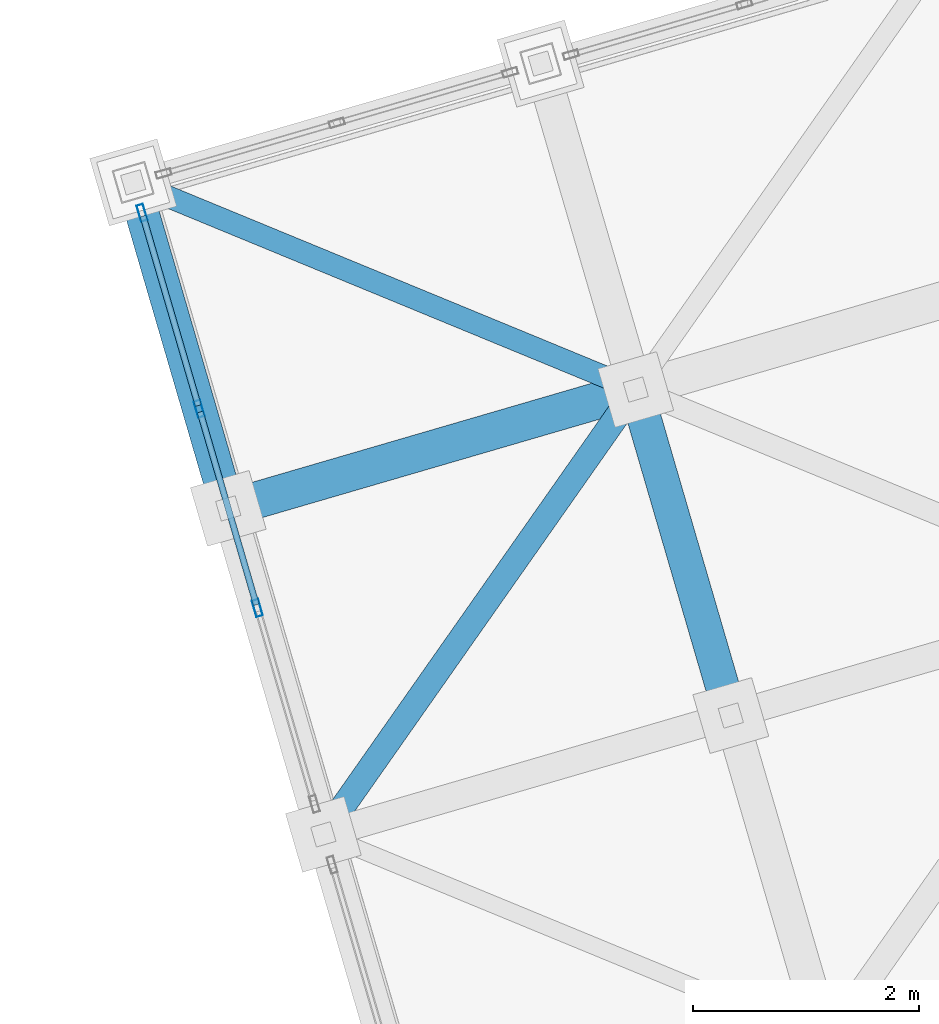
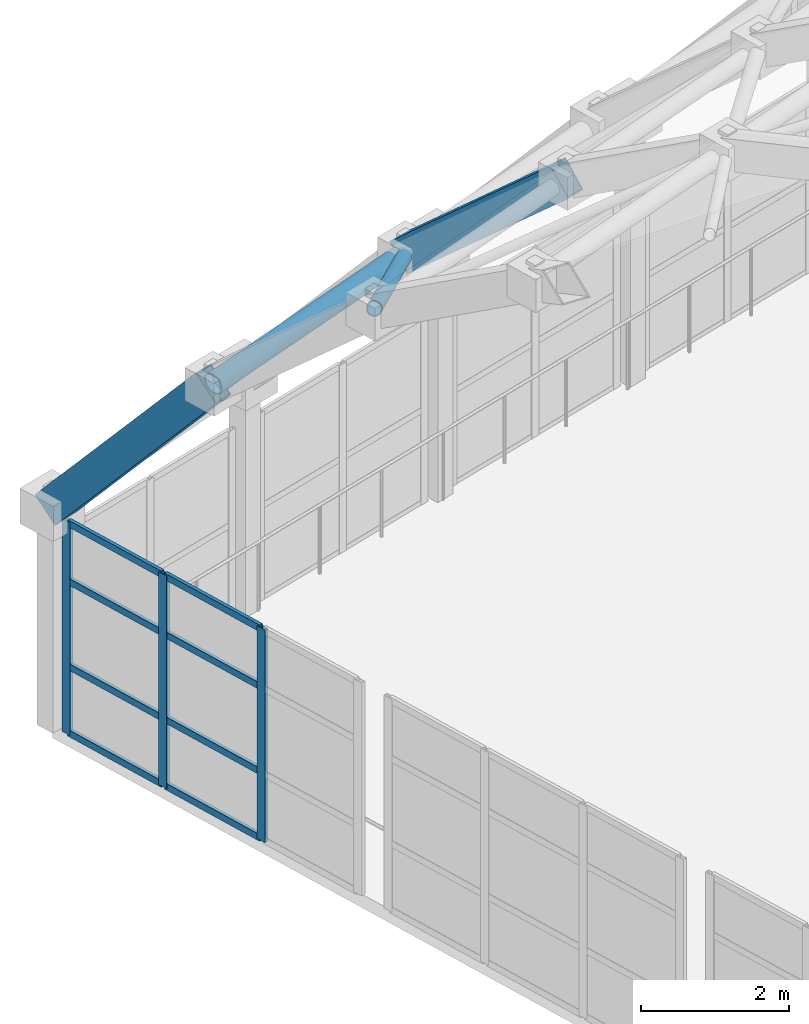
# One storey, part 51 of 248: 14 members, 2 beams, 1 element without a shape of its own.
"""IFC4 building model written with IfcOpenShell, lengths in metres."""

import ifcopenshell
import ifcopenshell.guid

model = None  # the IFC model being written
_history = None  # IfcOwnerHistory: only IFC2X3 demands one
_inside = {}  # id of a spatial element -> (the spatial element, [elements in it])
_under = {}  # id of a project, library or spatial element -> (it, [spatial elements below it])
_declared = {}  # id of a project -> (the project, [libraries it declares])
_typed = {}  # id of a type object -> (the type object, [elements of that type])
_made_of = {}  # id of a material, layer set ... -> (it, [elements and type objects made of it])


def new_model(schema):
    """Start an empty IFC model of exactly this schema.

    Asked for "IFC4X3", IfcOpenShell would pick the latest addendum, in which some entities
    have other attributes; the version numbers below select the first issue.
    IFC2X3 requires an IfcOwnerHistory on every rooted entity: one is made here for all.
    """
    global model, _history
    if schema == "IFC4X3":
        model = ifcopenshell.file(schema_version=(4, 3, 0, 0))
    else:
        model = ifcopenshell.file(schema=schema)
    _inside.clear()
    _under.clear()
    _declared.clear()
    _typed.clear()
    _made_of.clear()
    _history = None
    if model.schema == "IFC2X3":
        org = make("IfcOrganization", Name="unknown")
        user = make(
            "IfcPersonAndOrganization",
            ThePerson=make("IfcPerson", FamilyName="unknown"),
            TheOrganization=org,
        )
        app = make(
            "IfcApplication",
            ApplicationDeveloper=org,
            Version="unknown",
            ApplicationFullName="unknown",
            ApplicationIdentifier="unknown",
        )
        _history = make(
            "IfcOwnerHistory",
            OwningUser=user,
            OwningApplication=app,
            ChangeAction="ADDED",
            CreationDate=0,
        )
    return model


def make(cls, **values):
    """One entity of the class cls with the attributes given. An attribute that is None is left unset."""
    return model.create_entity(
        cls, **{name: value for name, value in values.items() if value is not None}
    )


def rooted(cls, **values):
    """An entity with a GlobalId (a new one), such as an element, a storey or a relation."""
    return make(cls, GlobalId=ifcopenshell.guid.new(), OwnerHistory=_history, **values)


def si_unit(unit_type, name, prefix=None):
    """IfcSIUnit, for example si_unit("LENGTHUNIT", "METRE", prefix="MILLI")."""
    return make("IfcSIUnit", UnitType=unit_type, Prefix=prefix, Name=name)


def assignment(units):
    """IfcUnitAssignment: the units of a project."""
    return None if units is None else make("IfcUnitAssignment", Units=units)


def point(xyz):
    """IfcCartesianPoint."""
    return None if xyz is None else make("IfcCartesianPoint", Coordinates=xyz)


def direction(xyz):
    """IfcDirection."""
    return None if xyz is None else make("IfcDirection", DirectionRatios=xyz)


def frame(location, z_axis=None, x_axis=None):
    """IfcAxis2Placement3D, a coordinate frame: its origin and axes. An axis left out is left unset."""
    return make(
        "IfcAxis2Placement3D",
        Location=point(location),
        Axis=direction(z_axis),
        RefDirection=direction(x_axis),
    )


def frame_2d(location, x_axis=None):
    """IfcAxis2Placement2D, a coordinate frame in the plane: its origin and x axis."""
    return make(
        "IfcAxis2Placement2D", Location=point(location), RefDirection=direction(x_axis)
    )


def origin():
    """The frame at (0, 0, 0) with its axes left unset."""
    return frame((0.0, 0.0, 0.0))


def origin_2d():
    """The frame at (0, 0) in the plane with its x axis left unset."""
    return frame_2d((0.0, 0.0))


def place(relative_to, where):
    """IfcLocalPlacement: puts the frame where relative to a parent placement (None: the world)."""
    return make(
        "IfcLocalPlacement", PlacementRelTo=relative_to, RelativePlacement=where
    )


def context(
    kind, dimensions, precision=None, world=None, true_north=None, identifier=None
):
    """IfcGeometricRepresentationContext, for example the 3D "Model" context."""
    return make(
        "IfcGeometricRepresentationContext",
        ContextIdentifier=identifier,
        ContextType=kind,
        CoordinateSpaceDimension=dimensions,
        Precision=precision,
        WorldCoordinateSystem=world,
        TrueNorth=true_north,
    )


def subcontext(parent, identifier, kind, view, scale=None):
    """IfcGeometricRepresentationSubContext, for example "Body" below "Model"."""
    return make(
        "IfcGeometricRepresentationSubContext",
        ContextIdentifier=identifier,
        ContextType=kind,
        ParentContext=parent,
        TargetScale=scale,
        TargetView=view,
    )


def project(units=None, contexts=None):
    """IfcProject with its units and contexts."""
    return rooted(
        "IfcProject",
        Name="project",
        RepresentationContexts=contexts,
        UnitsInContext=assignment(units),
    )


def spatial(cls, under=None, at=None, **own):
    """A site, building, storey or space (cls), placed at a placement, below another one or the project."""
    s = rooted(cls, ObjectPlacement=at, **own)
    if under is not None:
        _under.setdefault(under.id(), (under, []))[1].append(s)
    return s


def profile(cls, at=None, kind="AREA", **sizes):
    """A parametric profile (cls). Its sizes go by their IFC names, for example OverallWidth=200.0."""
    return make(cls, ProfileType=kind, Position=at, **sizes)


def hollow_rectangle(**sizes):
    """IfcRectangleHollowProfileDef."""
    return profile("IfcRectangleHollowProfileDef", **sizes)


def hollow_circle(**sizes):
    """IfcCircleHollowProfileDef."""
    return profile("IfcCircleHollowProfileDef", **sizes)


def extrude(swept, where, along, depth):
    """IfcExtrudedAreaSolid: the profile swept, set in the frame where, extruded along a direction by depth."""
    return make(
        "IfcExtrudedAreaSolid",
        SweptArea=swept,
        Position=where,
        ExtrudedDirection=direction(along),
        Depth=depth,
    )


def shape(context_of_items, identifier, shape_type, items):
    """IfcShapeRepresentation: the items that make up one representation, for example the "Body"."""
    return make(
        "IfcShapeRepresentation",
        ContextOfItems=context_of_items,
        RepresentationIdentifier=identifier,
        RepresentationType=shape_type,
        Items=items,
    )


def material(Name=None, Category=None):
    """IfcMaterial."""
    return make("IfcMaterial", Name=Name, Category=Category)


def layer(
    of_material, thickness, ventilated=None, Name=None, Category=None, Priority=None
):
    """IfcMaterialLayer: one layer of a wall or slab, of a material (None: an air gap)."""
    return make(
        "IfcMaterialLayer",
        Material=of_material,
        LayerThickness=thickness,
        IsVentilated=ventilated,
        Name=Name,
        Category=Category,
        Priority=Priority,
    )


def layer_set(layers, Name=None):
    """IfcMaterialLayerSet."""
    return make("IfcMaterialLayerSet", MaterialLayers=layers, LayerSetName=Name)


def material_profile(
    of_material, cross_section, Name=None, Category=None, Priority=None
):
    """IfcMaterialProfile: a cross section and its material."""
    return make(
        "IfcMaterialProfile",
        Name=Name,
        Material=of_material,
        Profile=cross_section,
        Priority=Priority,
        Category=Category,
    )


def profile_set(profiles, Name=None, composite=None):
    """IfcMaterialProfileSet."""
    return make(
        "IfcMaterialProfileSet",
        Name=Name,
        MaterialProfiles=profiles,
        CompositeProfile=composite,
    )


def made_of(thing, what):
    """Note that an element or type object is made of a material, layer set ...; save() writes the relation."""
    if what is not None:
        _made_of.setdefault(what.id(), (what, []))[1].append(thing)
    return thing


def type_object(cls, material=None, **own):
    """A type object (cls), such as IfcWallType, which elements share."""
    return made_of(rooted(cls, **own), material)


def element(
    cls,
    number,
    at=None,
    inside=None,
    cuts=None,
    type_object=None,
    material=None,
    context=None,
    identifier="Body",
    shape_type=None,
    held_by="IfcProductDefinitionShape",
    body=None,
    shapes=None,
    **own,
):
    """One element of the class cls, such as IfcWall. Its Tag is "e" and its number.

    at: its placement. inside: the storey or other place that contains it. cuts: it is an
    opening in that element (IfcRelVoidsElement). A single representation is given by context,
    identifier, shape_type and body (its items); several are given by shapes. held_by: the class
    of the entity that holds the representations. save() writes the other relations.
    """
    e = rooted(cls, Tag="e%d" % number, ObjectPlacement=at, **own)
    if body is not None:
        shapes = [shape(context, identifier, shape_type, body)]
    if shapes is not None:
        e.Representation = make(held_by, Representations=shapes)
    if inside is not None:
        _inside.setdefault(inside.id(), (inside, []))[1].append(e)
    if cuts is not None:
        rooted(
            "IfcRelVoidsElement", RelatingBuildingElement=cuts, RelatedOpeningElement=e
        )
    if type_object is not None:
        _typed.setdefault(type_object.id(), (type_object, []))[1].append(e)
    return made_of(e, material)


def aggregate(whole, parts):
    """IfcRelAggregates: a whole, such as a stair, and the parts it consists of."""
    return rooted("IfcRelAggregates", RelatingObject=whole, RelatedObjects=parts)


def save(model, path):
    """Write the relations noted so far, then the file.

    IfcRelAggregates (storeys below a building ...), IfcRelContainedInSpatialStructure (elements
    in a storey), IfcRelDefinesByType, IfcRelAssociatesMaterial and IfcRelDeclares: one each for
    every whole, place, type object, material and project.
    """
    for whole, parts in _under.values():
        aggregate(whole, parts)
    for where, things in _inside.values():
        rooted(
            "IfcRelContainedInSpatialStructure",
            RelatedElements=things,
            RelatingStructure=where,
        )
    for kind, things in _typed.values():
        rooted("IfcRelDefinesByType", RelatedObjects=things, RelatingType=kind)
    for what, things in _made_of.values():
        rooted("IfcRelAssociatesMaterial", RelatedObjects=things, RelatingMaterial=what)
    for by, libraries in _declared.values():
        rooted("IfcRelDeclares", RelatingContext=by, RelatedDefinitions=libraries)
    model.write(path)


model = new_model("IFC4")

# Units and contexts
model_context = context("Model", 3, precision=1e-05, world=origin(), true_north=direction((0.0, 1.0)))
body_context = subcontext(model_context, "Body", "Model", "MODEL_VIEW")
ifc_project = project(units=[si_unit("LENGTHUNIT", "METRE"), si_unit("AREAUNIT", "SQUARE_METRE"), si_unit("VOLUMEUNIT", "CUBIC_METRE"), si_unit("PLANEANGLEUNIT", "RADIAN"), si_unit("MASSUNIT", "GRAM", prefix="KILO")], contexts=[model_context])

# Site, building, storey
site_placement = place(None, origin())
site = spatial("IfcSite", under=ifc_project, at=site_placement, CompositionType="ELEMENT")
building_placement = place(site_placement, origin())
building = spatial("IfcBuilding", under=site, at=building_placement, Name="Canggui Botanical Conservatory", CompositionType="ELEMENT")
storey_placement = place(building_placement, frame((0.0, 0.0, 5.39990234375)))
storey = spatial("IfcBuildingStorey", under=building, at=storey_placement, Name="L02", CompositionType="ELEMENT", Elevation=5.39990234375)

# Beams
ifc_material_1 = material(Name="Steel Q355C", Category="steel")
ifc_material_profile_1 = material_profile(ifc_material_1, hollow_rectangle(XDim=0.300048828125, YDim=0.5, WallThickness=0.01611328125, at=origin_2d()), Name="RHS 300x500x16")
ifc_profile_set_1 = profile_set([ifc_material_profile_1], Name="Steel Q355C")
beam_type = type_object("IfcBeamType", Name="BM-GJ01", PredefinedType="BEAM", material=ifc_profile_set_1)
beam_1_placement = place(storey_placement, frame((12.43994140625, 67.919921875, 7.05615234375), z_axis=(-0.183510350266, 0.62932314014, -0.755166429755), x_axis=(-0.960017315421, -0.279940626011, 0.0)))
element("IfcBeam", 1, at=beam_1_placement, inside=storey, type_object=beam_type, Name="Conservatory Stepped-Arch Rib GJ-01 Segment 10", PredefinedType="BEAM", context=body_context, shape_type="SweptSolid", body=[
    extrude(hollow_rectangle(XDim=0.300048828125, YDim=0.5, WallThickness=0.01611328125, at=origin_2d()), origin(), (0.0, 0.0, 1.0), 4.57666015625),
])
beam_2_placement = place(storey_placement, frame((16.8798828125, 66.090087890625, 9.994140625), z_axis=(-0.208504257707, 0.714975646487, -0.667334848069), x_axis=(-0.960010937337, -0.279962497833, 0.0)))
element("IfcBeam", 2, at=beam_2_placement, inside=storey, type_object=beam_type, Name="Conservatory Stepped-Arch Rib GJ-02 Segment 9", PredefinedType="BEAM", context=body_context, shape_type="SweptSolid", body=[
    extrude(hollow_rectangle(XDim=0.300048828125, YDim=0.5, WallThickness=0.01611328125, at=origin_2d()), origin(), (0.0, 0.0, 1.0), 4.02783203125),
])

# Curtain wall, members
ifc_material_2 = material(Name="Thermally Broken Aluminium", Category="aluminium")
ifc_layer = layer(ifc_material_2, 0.14990234375, Name="Thermally Broken Aluminium", Category="aluminium")
ifc_layer_set = layer_set([ifc_layer], Name="Thermally Broken Aluminium")
curtain_wall_type = type_object("IfcCurtainWallType", Name="CW-UNIT-C", PredefinedType="USERDEFINED", material=ifc_layer_set)
curtain_wall_placement = place(storey_placement, origin())
curtain_wall = element("IfcCurtainWall", 3, at=curtain_wall_placement, inside=storey, type_object=curtain_wall_type, Name="Facade Curtain Wall CW-CONS-GABLE-L02-S-05", ObjectType="UNITISED CURTAIN WALL", PredefinedType="USERDEFINED")
ifc_material_profile_2 = material_profile(ifc_material_2, hollow_rectangle(XDim=0.06005859375, YDim=0.14990234375, WallThickness=0.00341796875, at=origin_2d()), Name="CWM 60x150x3.5")
ifc_profile_set_2 = profile_set([ifc_material_profile_2], Name="Thermally Broken Aluminium")
member_type_1 = type_object("IfcMemberType", Name="CWM-03", PredefinedType="MULLION", material=ifc_profile_set_2)
member_1_placement = place(storey_placement, frame((12.69677734375, 67.0400390625, 0.0), z_axis=(0.0, 0.0, 1.0), x_axis=(-0.960000000002, -0.279999999995, 0.0)))
member_1 = element("IfcMember", 4, at=member_1_placement, type_object=member_type_1, Name="CW-03 mullion 2", PredefinedType="MULLION", context=body_context, shape_type="SweptSolid", body=[
    extrude(hollow_rectangle(XDim=0.06005859375, YDim=0.14990234375, WallThickness=0.00341796875, at=origin_2d()), origin(), (0.0, 0.0, 1.0), 3.5),
])
member_2_placement = place(storey_placement, frame((12.183349609375, 68.800048828125, 0.0), z_axis=(0.0, 0.0, 1.0), x_axis=(-0.960000000002, -0.279999999995, 0.0)))
member_2 = element("IfcMember", 5, at=member_2_placement, type_object=member_type_1, Name="CW-03 mullion 3", PredefinedType="MULLION", context=body_context, shape_type="SweptSolid", body=[
    extrude(hollow_rectangle(XDim=0.06005859375, YDim=0.14990234375, WallThickness=0.00341796875, at=origin_2d()), origin(), (0.0, 0.0, 1.0), 3.5),
])
member_3_placement = place(storey_placement, frame((11.678466796875, 70.53125, 0.0), z_axis=(0.0, 0.0, 1.0), x_axis=(-0.960000000002, -0.279999999995, 0.0)))
member_3 = element("IfcMember", 6, at=member_3_placement, type_object=member_type_1, Name="CW-03 mullion 4", PredefinedType="MULLION", context=body_context, shape_type="SweptSolid", body=[
    extrude(hollow_rectangle(XDim=0.06005859375, YDim=0.14990234375, WallThickness=0.00341796875, at=origin_2d()), origin(), (0.0, 0.0, 1.0), 3.5),
])
ifc_material_profile_3 = material_profile(ifc_material_2, hollow_rectangle(XDim=0.054931640625, YDim=0.110107421875, WallThickness=0.0029296875, at=origin_2d()), Name="CWT 55x110x3")
ifc_profile_set_3 = profile_set([ifc_material_profile_3], Name="Thermally Broken Aluminium")
member_type_2 = type_object("IfcMemberType", Name="CWT-03", PredefinedType="USERDEFINED", material=ifc_profile_set_3)
member_4_placement = place(storey_placement, frame((12.688232421875, 67.06884765625, 0.027587890625), z_axis=(-0.280026433067, 0.95999228996, 0.0), x_axis=(-0.95999228996, -0.280026433067, 0.0)))
member_4 = element("IfcMember", 7, at=member_4_placement, type_object=member_type_2, Name="CW-03 transom 2.1", ObjectType="TRANSOM", PredefinedType="USERDEFINED", context=body_context, shape_type="SweptSolid", body=[
    extrude(hollow_rectangle(XDim=0.054931640625, YDim=0.110107421875, WallThickness=0.0029296875, at=origin_2d()), origin(), (0.0, 0.0, 1.0), 1.7734375),
])
member_5_placement = place(storey_placement, frame((12.688232421875, 67.06884765625, 1.1201171875), z_axis=(-0.280026433067, 0.95999228996, 0.0), x_axis=(-0.95999228996, -0.280026433067, 0.0)))
member_5 = element("IfcMember", 8, at=member_5_placement, type_object=member_type_2, Name="CW-03 transom 2.2", ObjectType="TRANSOM", PredefinedType="USERDEFINED", context=body_context, shape_type="SweptSolid", body=[
    extrude(hollow_rectangle(XDim=0.054931640625, YDim=0.110107421875, WallThickness=0.0029296875, at=origin_2d()), origin(), (0.0, 0.0, 1.0), 1.7734375),
])
member_6_placement = place(storey_placement, frame((12.688232421875, 67.06884765625, 2.52001953125), z_axis=(-0.280026433067, 0.95999228996, 0.0), x_axis=(-0.95999228996, -0.280026433067, 0.0)))
member_6 = element("IfcMember", 9, at=member_6_placement, type_object=member_type_2, Name="CW-03 transom 2.3", ObjectType="TRANSOM", PredefinedType="USERDEFINED", context=body_context, shape_type="SweptSolid", body=[
    extrude(hollow_rectangle(XDim=0.054931640625, YDim=0.110107421875, WallThickness=0.0029296875, at=origin_2d()), origin(), (0.0, 0.0, 1.0), 1.7734375),
])
member_7_placement = place(storey_placement, frame((12.688232421875, 67.06884765625, 3.47265625), z_axis=(-0.280026433067, 0.95999228996, 0.0), x_axis=(-0.95999228996, -0.280026433067, 0.0)))
member_7 = element("IfcMember", 10, at=member_7_placement, type_object=member_type_2, Name="CW-03 transom 2.4", ObjectType="TRANSOM", PredefinedType="USERDEFINED", context=body_context, shape_type="SweptSolid", body=[
    extrude(hollow_rectangle(XDim=0.054931640625, YDim=0.110107421875, WallThickness=0.0029296875, at=origin_2d()), origin(), (0.0, 0.0, 1.0), 1.7734375),
])
member_8_placement = place(storey_placement, frame((12.175048828125, 68.828857421875, 0.027587890625), z_axis=(-0.280080662242, 0.959976469836, 0.0), x_axis=(-0.959976469836, -0.280080662242, 0.0)))
member_8 = element("IfcMember", 11, at=member_8_placement, type_object=member_type_2, Name="CW-03 transom 3.1", ObjectType="TRANSOM", PredefinedType="USERDEFINED", context=body_context, shape_type="SweptSolid", body=[
    extrude(hollow_rectangle(XDim=0.054931640625, YDim=0.110107421875, WallThickness=0.0029296875, at=origin_2d()), origin(), (0.0, 0.0, 1.0), 1.743408203125),
])
member_9_placement = place(storey_placement, frame((12.175048828125, 68.828857421875, 1.1201171875), z_axis=(-0.280080662242, 0.959976469836, 0.0), x_axis=(-0.959976469836, -0.280080662242, 0.0)))
member_9 = element("IfcMember", 12, at=member_9_placement, type_object=member_type_2, Name="CW-03 transom 3.2", ObjectType="TRANSOM", PredefinedType="USERDEFINED", context=body_context, shape_type="SweptSolid", body=[
    extrude(hollow_rectangle(XDim=0.054931640625, YDim=0.110107421875, WallThickness=0.0029296875, at=origin_2d()), origin(), (0.0, 0.0, 1.0), 1.743408203125),
])
member_10_placement = place(storey_placement, frame((12.175048828125, 68.828857421875, 2.52001953125), z_axis=(-0.280080662242, 0.959976469836, 0.0), x_axis=(-0.959976469836, -0.280080662242, 0.0)))
member_10 = element("IfcMember", 13, at=member_10_placement, type_object=member_type_2, Name="CW-03 transom 3.3", ObjectType="TRANSOM", PredefinedType="USERDEFINED", context=body_context, shape_type="SweptSolid", body=[
    extrude(hollow_rectangle(XDim=0.054931640625, YDim=0.110107421875, WallThickness=0.0029296875, at=origin_2d()), origin(), (0.0, 0.0, 1.0), 1.743408203125),
])
member_11_placement = place(storey_placement, frame((12.175048828125, 68.828857421875, 3.47265625), z_axis=(-0.280080662242, 0.959976469836, 0.0), x_axis=(-0.959976469836, -0.280080662242, 0.0)))
member_11 = element("IfcMember", 14, at=member_11_placement, type_object=member_type_2, Name="CW-03 transom 3.4", ObjectType="TRANSOM", PredefinedType="USERDEFINED", context=body_context, shape_type="SweptSolid", body=[
    extrude(hollow_rectangle(XDim=0.054931640625, YDim=0.110107421875, WallThickness=0.0029296875, at=origin_2d()), origin(), (0.0, 0.0, 1.0), 1.743408203125),
])
aggregate(curtain_wall, [member_1, member_2, member_3, member_4, member_5, member_6, member_7, member_8, member_9, member_10, member_11])

# Members
ifc_material_profile_4 = material_profile(ifc_material_1, hollow_circle(Radius=0.16259765625, WallThickness=0.011962890625, at=origin_2d()), Name="CHS 325x12")
ifc_profile_set_4 = profile_set([ifc_material_profile_4], Name="Steel Q355C")
member_type_3 = type_object("IfcMemberType", Name="MEM-GSC01", PredefinedType="CHORD", material=ifc_profile_set_4)
member_12_placement = place(storey_placement, frame((12.43994140625, 67.919921875, 7.05615234375), z_axis=(0.957872417874, 0.27938486839, 0.066517113516), x_axis=(-0.280004999853, 0.959998541695, 0.0)))
element("IfcMember", 15, at=member_12_placement, inside=storey, type_object=member_type_3, Name="Conservatory Gridshell Longitudinal Chord 1-9", PredefinedType="CHORD", context=body_context, shape_type="SweptSolid", body=[
    extrude(hollow_circle(Radius=0.16259765625, WallThickness=0.011962890625, at=origin_2d()), origin(), (0.0, 0.0, 1.0), 3.758544921875),
])
ifc_material_profile_5 = material_profile(ifc_material_1, hollow_circle(Radius=0.109619140625, WallThickness=0.008056640625, at=origin_2d()), Name="CHS 219x8")
ifc_profile_set_5 = profile_set([ifc_material_profile_5], Name="Steel Q355C")
member_type_4 = type_object("IfcMemberType", Name="MEM-GSD01", PredefinedType="RAFTER", material=ifc_profile_set_5)
member_13_placement = place(storey_placement, frame((13.280029296875, 65.0400390625, 9.744140625), z_axis=(0.512469671775, 0.72969697537, -0.452677765798), x_axis=(-0.818344854073, 0.574727500484, 0.0)))
element("IfcMember", 16, at=member_13_placement, inside=storey, type_object=member_type_4, Name="Conservatory Gridshell Diagrid Rafter 1-9", PredefinedType="RAFTER", context=body_context, shape_type="SweptSolid", body=[
    extrude(hollow_circle(Radius=0.109619140625, WallThickness=0.008056640625, at=origin_2d()), origin(), (0.0, 0.0, 1.0), 5.3857421875),
])
ifc_material_profile_6 = material_profile(ifc_material_1, hollow_circle(Radius=0.096923828125, WallThickness=0.008056640625, at=origin_2d()), Name="CHS 194x8")
ifc_profile_set_6 = profile_set([ifc_material_profile_6], Name="Steel Q355C")
member_type_5 = type_object("IfcMemberType", Name="MEM-GSD02", PredefinedType="RAFTER", material=ifc_profile_set_6)
member_14_placement = place(storey_placement, frame((11.60009765625, 70.800048828125, 3.60009765625), z_axis=(0.731931437404, -0.301691304013, 0.61094903881), x_axis=(0.381082183428, 0.924541166998, 0.0)))
element("IfcMember", 17, at=member_14_placement, inside=storey, type_object=member_type_5, Name="Conservatory Gridshell Diagrid Rafter 1-10", PredefinedType="RAFTER", context=body_context, shape_type="SweptSolid", body=[
    extrude(hollow_circle(Radius=0.096923828125, WallThickness=0.008056640625, at=origin_2d()), origin(), (0.0, 0.0, 1.0), 6.066162109375),
])

save(model, "model.ifc")
